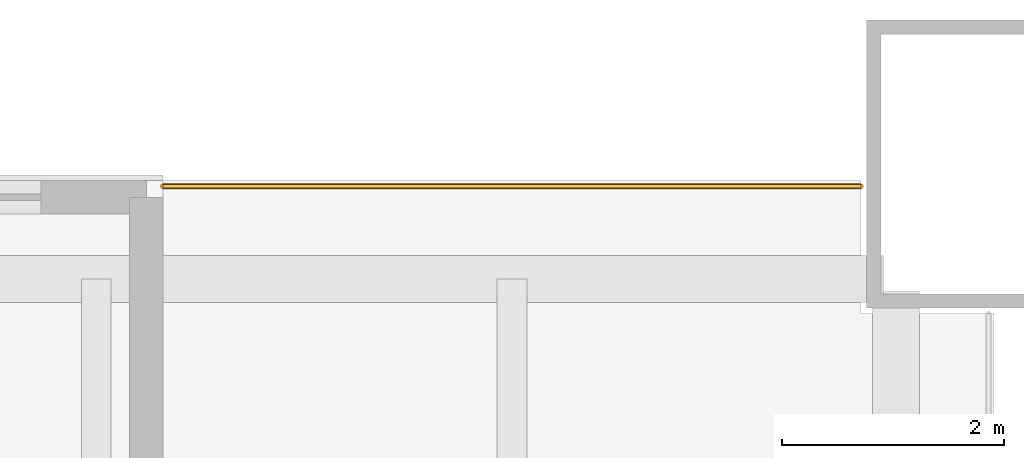
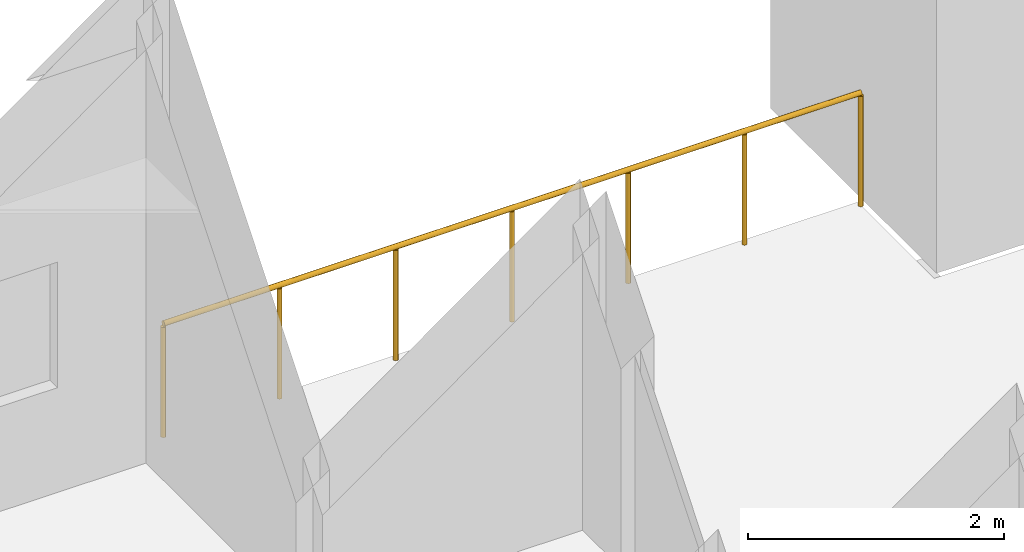
# One storey, part 7 of 7: 1 railing.
"""IFC4 building model written with IfcOpenShell, lengths in metres."""

from ifc_helpers import new_model, si_unit, direction, frame, origin, origin_2d, place, context, subcontext, project, spatial, circle, extrude, material, type_object, element, save


model = new_model("IFC4")

# Units and contexts
model_context = context("Model", 3, precision=1e-05, world=origin(), true_north=direction((0.0, 1.0)))
body_context = subcontext(model_context, "Body", "Model", "MODEL_VIEW")
ifc_project = project(units=[si_unit("LENGTHUNIT", "METRE"), si_unit("AREAUNIT", "SQUARE_METRE"), si_unit("VOLUMEUNIT", "CUBIC_METRE"), si_unit("PLANEANGLEUNIT", "RADIAN"), si_unit("MASSUNIT", "GRAM", prefix="KILO")], contexts=[model_context])

# Site, building, storey
site_placement = place(None, origin())
site = spatial("IfcSite", under=ifc_project, at=site_placement, CompositionType="ELEMENT")
building_placement = place(site_placement, origin())
building = spatial("IfcBuilding", under=site, at=building_placement, Name="Tarangal Relay Tower", CompositionType="ELEMENT")
storey_placement = place(building_placement, frame((0.0, 0.0, 144.89990234375)))
storey = spatial("IfcBuildingStorey", under=building, at=storey_placement, Name="L29", CompositionType="ELEMENT", Elevation=144.89990234375)

# Railing
ifc_material = material(Name="Black steel guard with glass infill", Category="steel")
railing_type = type_object("IfcRailingType", Name="Terrace guard 1100", PredefinedType="GUARDRAIL", material=ifc_material)
railing_placement = place(storey_placement, frame((16.35009765625, 23.800048828125, 0.0)))
element("IfcRailing", 1, at=railing_placement, inside=storey, type_object=railing_type, Name="Terrace guard GR2 NE L29", PredefinedType="GUARDRAIL", context=body_context, shape_type="SweptSolid", body=[
    extrude(circle(Radius=0.02392578125, at=origin_2d()), frame((0.0, 0.0, 1.076171875), z_axis=(1.0, 0.0, 0.0), x_axis=(0.0, 1.0, 0.0)), (0.0, 0.0, 1.0), 6.2998046875),
    extrude(circle(Radius=0.02099609375, at=origin_2d()), origin(), (0.0, 0.0, 1.0), 1.052001953125),
    extrude(circle(Radius=0.02099609375, at=origin_2d()), frame((1.050048828125, 0.0, 0.0)), (0.0, 0.0, 1.0), 1.052001953125),
    extrude(circle(Radius=0.02099609375, at=origin_2d()), frame((2.099853515625, 0.0, 0.0)), (0.0, 0.0, 1.0), 1.052001953125),
    extrude(circle(Radius=0.02099609375, at=origin_2d()), frame((3.14990234375, 0.0, 0.0)), (0.0, 0.0, 1.0), 1.052001953125),
    extrude(circle(Radius=0.02099609375, at=origin_2d()), frame((4.199951171875, 0.0, 0.0)), (0.0, 0.0, 1.0), 1.052001953125),
    extrude(circle(Radius=0.02099609375, at=origin_2d()), frame((5.249755859375, 0.0, 0.0)), (0.0, 0.0, 1.0), 1.052001953125),
    extrude(circle(Radius=0.02099609375, at=origin_2d()), frame((6.2998046875, 0.0, 0.0)), (0.0, 0.0, 1.0), 1.052001953125),
])

save(model, "model.ifc")
